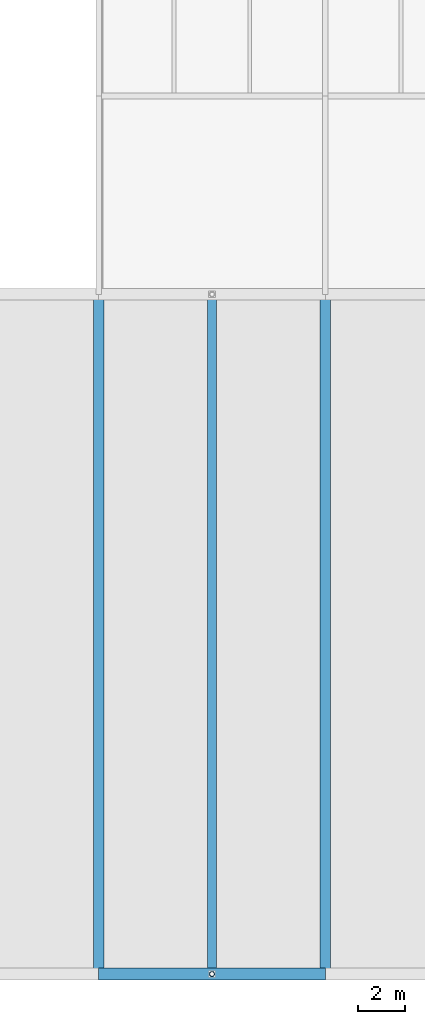
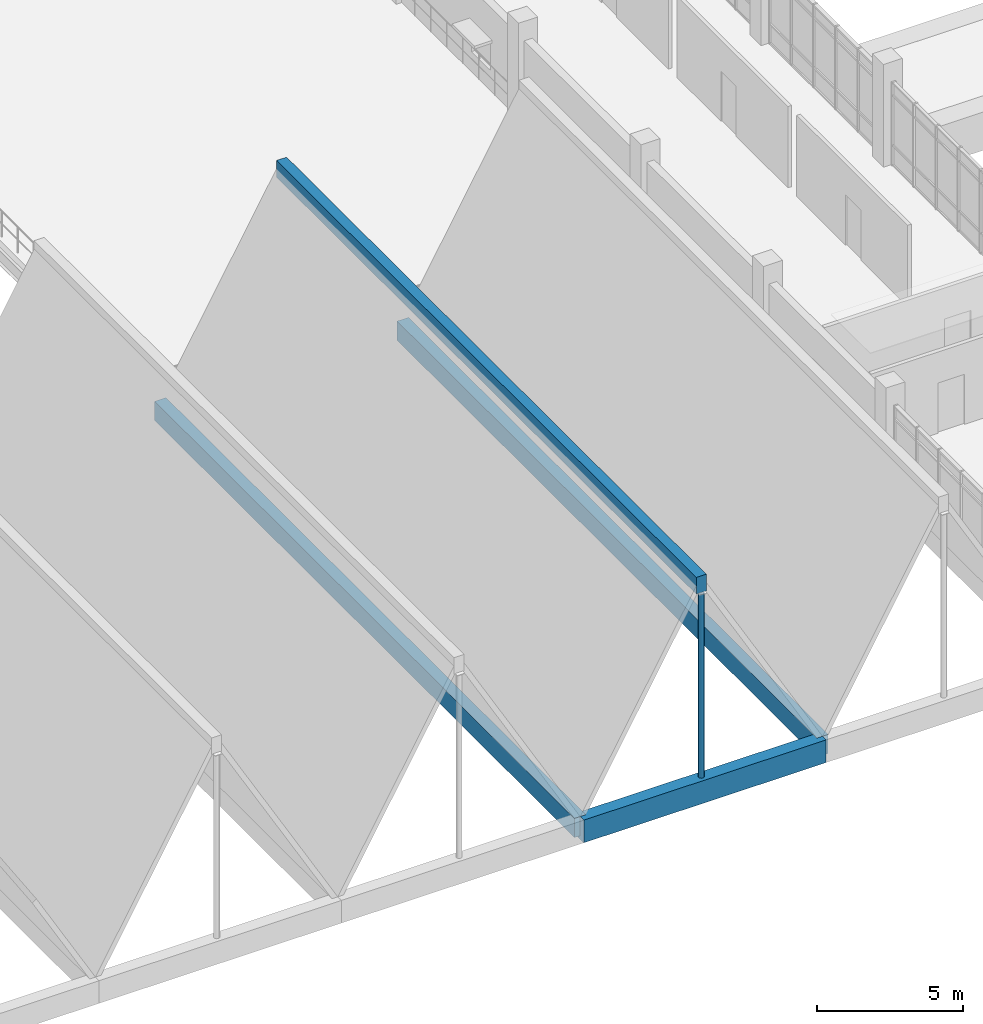
# One storey, part 9 of 86: 4 beams, 1 member, 1 element without a shape of its own.
"""IFC4 building model written with IfcOpenShell, lengths in metres."""

import ifcopenshell
import ifcopenshell.guid

model = None  # the IFC model being written
_history = None  # IfcOwnerHistory: only IFC2X3 demands one
_inside = {}  # id of a spatial element -> (the spatial element, [elements in it])
_under = {}  # id of a project, library or spatial element -> (it, [spatial elements below it])
_declared = {}  # id of a project -> (the project, [libraries it declares])
_typed = {}  # id of a type object -> (the type object, [elements of that type])
_made_of = {}  # id of a material, layer set ... -> (it, [elements and type objects made of it])


def new_model(schema):
    """Start an empty IFC model of exactly this schema.

    Asked for "IFC4X3", IfcOpenShell would pick the latest addendum, in which some entities
    have other attributes; the version numbers below select the first issue.
    IFC2X3 requires an IfcOwnerHistory on every rooted entity: one is made here for all.
    """
    global model, _history
    if schema == "IFC4X3":
        model = ifcopenshell.file(schema_version=(4, 3, 0, 0))
    else:
        model = ifcopenshell.file(schema=schema)
    _inside.clear()
    _under.clear()
    _declared.clear()
    _typed.clear()
    _made_of.clear()
    _history = None
    if model.schema == "IFC2X3":
        org = make("IfcOrganization", Name="unknown")
        user = make(
            "IfcPersonAndOrganization",
            ThePerson=make("IfcPerson", FamilyName="unknown"),
            TheOrganization=org,
        )
        app = make(
            "IfcApplication",
            ApplicationDeveloper=org,
            Version="unknown",
            ApplicationFullName="unknown",
            ApplicationIdentifier="unknown",
        )
        _history = make(
            "IfcOwnerHistory",
            OwningUser=user,
            OwningApplication=app,
            ChangeAction="ADDED",
            CreationDate=0,
        )
    return model


def make(cls, **values):
    """One entity of the class cls with the attributes given. An attribute that is None is left unset."""
    return model.create_entity(
        cls, **{name: value for name, value in values.items() if value is not None}
    )


def rooted(cls, **values):
    """An entity with a GlobalId (a new one), such as an element, a storey or a relation."""
    return make(cls, GlobalId=ifcopenshell.guid.new(), OwnerHistory=_history, **values)


def si_unit(unit_type, name, prefix=None):
    """IfcSIUnit, for example si_unit("LENGTHUNIT", "METRE", prefix="MILLI")."""
    return make("IfcSIUnit", UnitType=unit_type, Prefix=prefix, Name=name)


def assignment(units):
    """IfcUnitAssignment: the units of a project."""
    return None if units is None else make("IfcUnitAssignment", Units=units)


def point(xyz):
    """IfcCartesianPoint."""
    return None if xyz is None else make("IfcCartesianPoint", Coordinates=xyz)


def direction(xyz):
    """IfcDirection."""
    return None if xyz is None else make("IfcDirection", DirectionRatios=xyz)


def frame(location, z_axis=None, x_axis=None):
    """IfcAxis2Placement3D, a coordinate frame: its origin and axes. An axis left out is left unset."""
    return make(
        "IfcAxis2Placement3D",
        Location=point(location),
        Axis=direction(z_axis),
        RefDirection=direction(x_axis),
    )


def frame_2d(location, x_axis=None):
    """IfcAxis2Placement2D, a coordinate frame in the plane: its origin and x axis."""
    return make(
        "IfcAxis2Placement2D", Location=point(location), RefDirection=direction(x_axis)
    )


def origin():
    """The frame at (0, 0, 0) with its axes left unset."""
    return frame((0.0, 0.0, 0.0))


def origin_2d():
    """The frame at (0, 0) in the plane with its x axis left unset."""
    return frame_2d((0.0, 0.0))


def place(relative_to, where):
    """IfcLocalPlacement: puts the frame where relative to a parent placement (None: the world)."""
    return make(
        "IfcLocalPlacement", PlacementRelTo=relative_to, RelativePlacement=where
    )


def context(
    kind, dimensions, precision=None, world=None, true_north=None, identifier=None
):
    """IfcGeometricRepresentationContext, for example the 3D "Model" context."""
    return make(
        "IfcGeometricRepresentationContext",
        ContextIdentifier=identifier,
        ContextType=kind,
        CoordinateSpaceDimension=dimensions,
        Precision=precision,
        WorldCoordinateSystem=world,
        TrueNorth=true_north,
    )


def subcontext(parent, identifier, kind, view, scale=None):
    """IfcGeometricRepresentationSubContext, for example "Body" below "Model"."""
    return make(
        "IfcGeometricRepresentationSubContext",
        ContextIdentifier=identifier,
        ContextType=kind,
        ParentContext=parent,
        TargetScale=scale,
        TargetView=view,
    )


def project(units=None, contexts=None):
    """IfcProject with its units and contexts."""
    return rooted(
        "IfcProject",
        Name="project",
        RepresentationContexts=contexts,
        UnitsInContext=assignment(units),
    )


def spatial(cls, under=None, at=None, **own):
    """A site, building, storey or space (cls), placed at a placement, below another one or the project."""
    s = rooted(cls, ObjectPlacement=at, **own)
    if under is not None:
        _under.setdefault(under.id(), (under, []))[1].append(s)
    return s


def profile(cls, at=None, kind="AREA", **sizes):
    """A parametric profile (cls). Its sizes go by their IFC names, for example OverallWidth=200.0."""
    return make(cls, ProfileType=kind, Position=at, **sizes)


def rectangle(**sizes):
    """IfcRectangleProfileDef."""
    return profile("IfcRectangleProfileDef", **sizes)


def hollow_circle(**sizes):
    """IfcCircleHollowProfileDef."""
    return profile("IfcCircleHollowProfileDef", **sizes)


def extrude(swept, where, along, depth):
    """IfcExtrudedAreaSolid: the profile swept, set in the frame where, extruded along a direction by depth."""
    return make(
        "IfcExtrudedAreaSolid",
        SweptArea=swept,
        Position=where,
        ExtrudedDirection=direction(along),
        Depth=depth,
    )


def shape(context_of_items, identifier, shape_type, items):
    """IfcShapeRepresentation: the items that make up one representation, for example the "Body"."""
    return make(
        "IfcShapeRepresentation",
        ContextOfItems=context_of_items,
        RepresentationIdentifier=identifier,
        RepresentationType=shape_type,
        Items=items,
    )


def material(Name=None, Category=None):
    """IfcMaterial."""
    return make("IfcMaterial", Name=Name, Category=Category)


def material_profile(
    of_material, cross_section, Name=None, Category=None, Priority=None
):
    """IfcMaterialProfile: a cross section and its material."""
    return make(
        "IfcMaterialProfile",
        Name=Name,
        Material=of_material,
        Profile=cross_section,
        Priority=Priority,
        Category=Category,
    )


def profile_set(profiles, Name=None, composite=None):
    """IfcMaterialProfileSet."""
    return make(
        "IfcMaterialProfileSet",
        Name=Name,
        MaterialProfiles=profiles,
        CompositeProfile=composite,
    )


def made_of(thing, what):
    """Note that an element or type object is made of a material, layer set ...; save() writes the relation."""
    if what is not None:
        _made_of.setdefault(what.id(), (what, []))[1].append(thing)
    return thing


def type_object(cls, material=None, **own):
    """A type object (cls), such as IfcWallType, which elements share."""
    return made_of(rooted(cls, **own), material)


def element(
    cls,
    number,
    at=None,
    inside=None,
    cuts=None,
    type_object=None,
    material=None,
    context=None,
    identifier="Body",
    shape_type=None,
    held_by="IfcProductDefinitionShape",
    body=None,
    shapes=None,
    **own,
):
    """One element of the class cls, such as IfcWall. Its Tag is "e" and its number.

    at: its placement. inside: the storey or other place that contains it. cuts: it is an
    opening in that element (IfcRelVoidsElement). A single representation is given by context,
    identifier, shape_type and body (its items); several are given by shapes. held_by: the class
    of the entity that holds the representations. save() writes the other relations.
    """
    e = rooted(cls, Tag="e%d" % number, ObjectPlacement=at, **own)
    if body is not None:
        shapes = [shape(context, identifier, shape_type, body)]
    if shapes is not None:
        e.Representation = make(held_by, Representations=shapes)
    if inside is not None:
        _inside.setdefault(inside.id(), (inside, []))[1].append(e)
    if cuts is not None:
        rooted(
            "IfcRelVoidsElement", RelatingBuildingElement=cuts, RelatedOpeningElement=e
        )
    if type_object is not None:
        _typed.setdefault(type_object.id(), (type_object, []))[1].append(e)
    return made_of(e, material)


def aggregate(whole, parts):
    """IfcRelAggregates: a whole, such as a stair, and the parts it consists of."""
    return rooted("IfcRelAggregates", RelatingObject=whole, RelatedObjects=parts)


def save(model, path):
    """Write the relations noted so far, then the file.

    IfcRelAggregates (storeys below a building ...), IfcRelContainedInSpatialStructure (elements
    in a storey), IfcRelDefinesByType, IfcRelAssociatesMaterial and IfcRelDeclares: one each for
    every whole, place, type object, material and project.
    """
    for whole, parts in _under.values():
        aggregate(whole, parts)
    for where, things in _inside.values():
        rooted(
            "IfcRelContainedInSpatialStructure",
            RelatedElements=things,
            RelatingStructure=where,
        )
    for kind, things in _typed.values():
        rooted("IfcRelDefinesByType", RelatedObjects=things, RelatingType=kind)
    for what, things in _made_of.values():
        rooted("IfcRelAssociatesMaterial", RelatedObjects=things, RelatingMaterial=what)
    for by, libraries in _declared.values():
        rooted("IfcRelDeclares", RelatingContext=by, RelatedDefinitions=libraries)
    model.write(path)


model = new_model("IFC4")

# Units and contexts
model_context = context("Model", 3, precision=1e-05, world=origin(), true_north=direction((0.0, 1.0)))
body_context = subcontext(model_context, "Body", "Model", "MODEL_VIEW")
ifc_project = project(units=[si_unit("LENGTHUNIT", "METRE"), si_unit("AREAUNIT", "SQUARE_METRE"), si_unit("VOLUMEUNIT", "CUBIC_METRE"), si_unit("PLANEANGLEUNIT", "RADIAN"), si_unit("MASSUNIT", "GRAM", prefix="KILO")], contexts=[model_context])

# Site, building, storey
site_placement = place(None, origin())
site = spatial("IfcSite", under=ifc_project, at=site_placement, CompositionType="ELEMENT")
building_placement = place(site_placement, origin())
building = spatial("IfcBuilding", under=site, at=building_placement, Name="Oolite Switchyard Hospital", CompositionType="ELEMENT")
storey_placement = place(building_placement, frame((0.0, 0.0, 13.5)))
storey = spatial("IfcBuildingStorey", under=building, at=storey_placement, Name="L03", CompositionType="ELEMENT", Elevation=13.5)

# Roof, beams, member
ifc_material_1 = material(Name="Concrete C40/50", Category="concrete")
roof_type = type_object("IfcRoofType", Name="ROOF-FOLDED", PredefinedType="FREEFORM", material=ifc_material_1)
roof_placement = place(storey_placement, origin())
roof = element("IfcRoof", 1, at=roof_placement, inside=storey, type_object=roof_type, Name="L03 Main Arrival Hall Folded-Plate Roof", PredefinedType="FREEFORM")
ifc_material_profile_1 = material_profile(ifc_material_1, rectangle(XDim=0.5, YDim=0.949951171875, at=origin_2d()), Name="RCG500X950")
ifc_profile_set_1 = profile_set([ifc_material_profile_1], Name="Concrete C40/50")
beam_type_1 = type_object("IfcBeamType", Name="BM-GABLE950", PredefinedType="T_BEAM", material=ifc_profile_set_1)
beam_1_placement = place(storey_placement, frame((115.199951171875, 4.800048828125, -0.47509765625), z_axis=(1.0, 0.0, 0.0), x_axis=(0.0, 1.0, 0.0)))
beam_1 = element("IfcBeam", 2, at=beam_1_placement, type_object=beam_type_1, Name="Main Hall Gable Diaphragm Tie Beam S6", PredefinedType="T_BEAM", context=body_context, shape_type="SweptSolid", body=[
    extrude(rectangle(XDim=0.5, YDim=0.949951171875, at=origin_2d()), origin(), (0.0, 0.0, 1.0), 9.60009765625),
])
ifc_material_profile_2 = material_profile(ifc_material_1, rectangle(XDim=0.39990234375, YDim=0.699951171875, at=origin_2d()), Name="RCR400X700")
ifc_profile_set_2 = profile_set([ifc_material_profile_2], Name="Concrete C40/50")
beam_type_2 = type_object("IfcBeamType", Name="BM-RIDGE700", PredefinedType="T_BEAM", material=ifc_profile_set_2)
beam_2_placement = place(storey_placement, frame((120.0, 4.800048828125, 8.050048828125), z_axis=(0.0, 1.0, 0.0), x_axis=(-1.0, 0.0, 0.0)))
beam_2 = element("IfcBeam", 3, at=beam_2_placement, type_object=beam_type_2, Name="Main Hall Folded-Plate Ridge Beam 6", PredefinedType="T_BEAM", context=body_context, shape_type="SweptSolid", body=[
    extrude(rectangle(XDim=0.39990234375, YDim=0.699951171875, at=origin_2d()), origin(), (0.0, 0.0, 1.0), 28.800048828125),
])
ifc_material_profile_3 = material_profile(ifc_material_1, rectangle(XDim=0.449951171875, YDim=0.800048828125, at=origin_2d()), Name="RCV450X800")
ifc_profile_set_3 = profile_set([ifc_material_profile_3], Name="Concrete C40/50")
beam_type_3 = type_object("IfcBeamType", Name="BM-VALLEY800", PredefinedType="T_BEAM", material=ifc_profile_set_3)
beam_3_placement = place(storey_placement, frame((115.199951171875, 4.800048828125, -0.39990234375), z_axis=(0.0, 1.0, 0.0), x_axis=(-1.0, 0.0, 0.0)))
beam_3 = element("IfcBeam", 4, at=beam_3_placement, type_object=beam_type_3, Name="Main Hall Folded-Plate Valley Beam 6", PredefinedType="T_BEAM", context=body_context, shape_type="SweptSolid", body=[
    extrude(rectangle(XDim=0.449951171875, YDim=0.800048828125, at=origin_2d()), origin(), (0.0, 0.0, 1.0), 28.800048828125),
])
beam_4_placement = place(storey_placement, frame((124.800048828125, 4.800048828125, -0.39990234375), z_axis=(0.0, 1.0, 0.0), x_axis=(-1.0, 0.0, 0.0)))
beam_4 = element("IfcBeam", 5, at=beam_4_placement, type_object=beam_type_3, Name="Main Hall Folded-Plate Valley Beam 7", PredefinedType="T_BEAM", context=body_context, shape_type="SweptSolid", body=[
    extrude(rectangle(XDim=0.449951171875, YDim=0.800048828125, at=origin_2d()), origin(), (0.0, 0.0, 1.0), 28.800048828125),
])
ifc_material_2 = material(Name="Steel ASTM A500 Grade C", Category="steel")
ifc_material_profile_4 = material_profile(ifc_material_2, hollow_circle(Radius=0.109619140625, WallThickness=0.012939453125, at=origin_2d()), Name="HSS219X13")
ifc_profile_set_4 = profile_set([ifc_material_profile_4], Name="Steel ASTM A500 Grade C")
member_type = type_object("IfcMemberType", Name="MEM-ST-CHS219", PredefinedType="STRUT", material=ifc_profile_set_4)
member_placement = place(storey_placement, frame((120.0, 4.800048828125, 0.0), z_axis=(0.0, 0.0, 1.0), x_axis=(1.0, 0.0, 0.0)))
member = element("IfcMember", 6, at=member_placement, type_object=member_type, Name="Main Hall Gable King-Post Strut S6", PredefinedType="STRUT", context=body_context, shape_type="SweptSolid", body=[
    extrude(hollow_circle(Radius=0.109619140625, WallThickness=0.012939453125, at=origin_2d()), origin(), (0.0, 0.0, 1.0), 7.699951171875),
])
aggregate(roof, [beam_2, beam_3, beam_1, member, beam_4])

save(model, "model.ifc")
